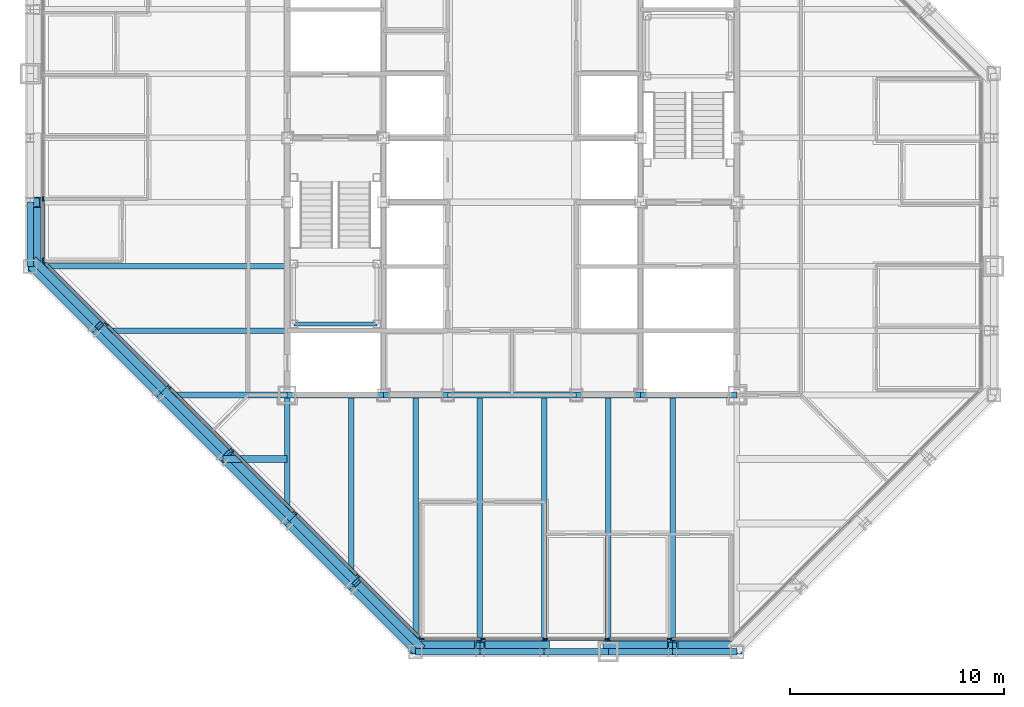
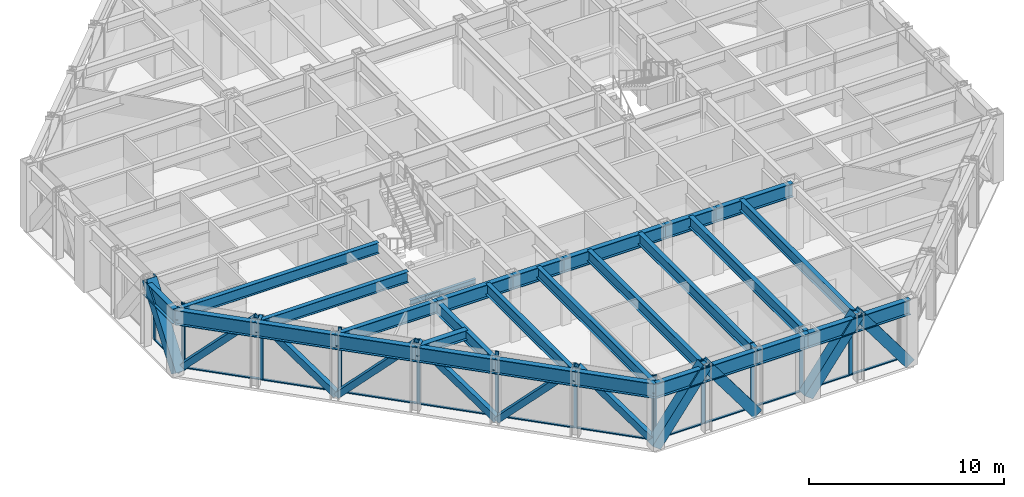
# One storey, part 5 of 16: 37 members, 29 beams, 3 elements without a shape of their own.
"""IFC4 building model written with IfcOpenShell, lengths in metres."""

from ifc_helpers import new_model, si_unit, direction, frame, origin, origin_2d, place, context, subcontext, project, spatial, rectangle, hollow_rectangle, i_section, extrude, material, layer, layer_set, material_profile, profile_set, type_object, element, aggregate, save


model = new_model("IFC4")

# Units and contexts
model_context = context("Model", 3, precision=1e-05, world=origin(), true_north=direction((0.0, 1.0)))
body_context = subcontext(model_context, "Body", "Model", "MODEL_VIEW")
ifc_project = project(units=[si_unit("LENGTHUNIT", "METRE"), si_unit("AREAUNIT", "SQUARE_METRE"), si_unit("VOLUMEUNIT", "CUBIC_METRE"), si_unit("PLANEANGLEUNIT", "RADIAN"), si_unit("MASSUNIT", "GRAM", prefix="KILO")], contexts=[model_context])

# Site, building, storey
site_placement = place(None, origin())
site = spatial("IfcSite", under=ifc_project, at=site_placement, CompositionType="ELEMENT")
building_placement = place(site_placement, origin())
building = spatial("IfcBuilding", under=site, at=building_placement, Name="Chuquiago Exchange Tower", CompositionType="ELEMENT")
storey_placement = place(building_placement, frame((0.0, 0.0, 218.10009765625)))
storey = spatial("IfcBuildingStorey", under=building, at=storey_placement, Name="L48", CompositionType="ELEMENT", Elevation=218.10009765625)

# Beams
ifc_material_1 = material(Name="Steel ASTM A992", Category="steel")
ifc_material_profile_1 = material_profile(ifc_material_1, i_section(OverallWidth=0.25390625, OverallDepth=0.683349609375, WebThickness=0.012451171875, FlangeThickness=0.018798828125, at=origin_2d()), Name="W27X94")
ifc_profile_set_1 = profile_set([ifc_material_profile_1], Name="Steel ASTM A992")
beam_type_1 = type_object("IfcBeamType", Name="B1 W27X94", PredefinedType="BEAM", material=ifc_profile_set_1)
beam_1_placement = place(storey_placement, frame((15.0, 12.0, 3.6982421875), z_axis=(0.0, -1.0, 0.0), x_axis=(1.0, 0.0, 0.0)))
element("IfcBeam", 1, at=beam_1_placement, inside=storey, type_object=beam_type_1, Name="FB-L49-infill-15_12-15_3-0", PredefinedType="BEAM", context=body_context, shape_type="SweptSolid", body=[
    extrude(i_section(OverallWidth=0.25390625, OverallDepth=0.683349609375, WebThickness=0.012451171875, FlangeThickness=0.018798828125, at=origin_2d()), origin(), (0.0, 0.0, 1.0), 9.0),
])
for number, where, z_axis, x_axis, name in (
    (2, (18.0, 12.0, 3.6982421875), (0.0, -1.0, 0.0), (1.0, 0.0, 0.0), "FB-L49-infill-18_12-18_-0-0"),
    (3, (21.0, 12.0, 3.6982421875), (0.0, -1.0, 0.0), (1.0, 0.0, 0.0), "FB-L49-infill-21_12-21_-0-0"),
    (4, (24.0, 12.0, 3.6982421875), (0.0, -1.0, 0.0), (1.0, 0.0, 0.0), "FB-L49-infill-24_12-24_-0-0"),
    (5, (27.0, 12.0, 3.6982421875), (0.0, -1.0, 0.0), (1.0, 0.0, 0.0), "FB-L49-infill-27_12-27_-0-0"),
    (6, (30.0, 12.0, 3.6982421875), (0.0, -1.0, 0.0), (1.0, 0.0, 0.0), "FB-L49-infill-30_12-30_-0-0"),
):
    element("IfcBeam", number, at=place(storey_placement, frame(where, z_axis=z_axis, x_axis=x_axis)), inside=storey, type_object=beam_type_1, Name=name, PredefinedType="BEAM", context=body_context, shape_type="SweptSolid", body=[
        extrude(i_section(OverallWidth=0.25390625, OverallDepth=0.683349609375, WebThickness=0.012451171875, FlangeThickness=0.018798828125, at=origin_2d()), origin(), (0.0, 0.0, 1.0), 12.0),
    ])
beam_2_placement = place(storey_placement, frame((12.0, 15.0, 3.6982421875), z_axis=(-1.0, 0.0, 0.0), x_axis=(0.0, -1.0, 0.0)))
element("IfcBeam", 7, at=beam_2_placement, inside=storey, type_object=beam_type_1, Name="FB-L49-infill-12_15-3_15-0", PredefinedType="BEAM", context=body_context, shape_type="SweptSolid", body=[
    extrude(i_section(OverallWidth=0.25390625, OverallDepth=0.683349609375, WebThickness=0.012451171875, FlangeThickness=0.018798828125, at=origin_2d()), origin(), (0.0, 0.0, 1.0), 9.0),
])
beam_3_placement = place(storey_placement, frame((12.0, 18.0, 3.6982421875), z_axis=(-1.0, 0.0, 0.0), x_axis=(0.0, -1.0, 0.0)))
element("IfcBeam", 8, at=beam_3_placement, inside=storey, type_object=beam_type_1, Name="FB-L49-infill-12_18--0_18-0", PredefinedType="BEAM", context=body_context, shape_type="SweptSolid", body=[
    extrude(i_section(OverallWidth=0.25390625, OverallDepth=0.683349609375, WebThickness=0.012451171875, FlangeThickness=0.018798828125, at=origin_2d()), origin(), (0.0, 0.0, 1.0), 12.0),
])
ifc_material_2 = material(Name="Steel ASTM A992", Category="steel")
ifc_material_profile_2 = material_profile(ifc_material_2, i_section(OverallWidth=0.3251953125, OverallDepth=0.612060546875, WebThickness=0.0126953125, FlangeThickness=0.01904296875, at=origin_2d()), Name="W24X104")
ifc_profile_set_2 = profile_set([ifc_material_profile_2], Name="Steel ASTM A992")
beam_type_2 = type_object("IfcBeamType", Name="B2 W24X104", PredefinedType="BEAM", material=ifc_profile_set_2)
beam_4_placement = place(storey_placement, frame((12.0, 9.0, 3.73388671875), z_axis=(-1.0, 0.0, 0.0), x_axis=(0.0, -1.0, 0.0)))
element("IfcBeam", 9, at=beam_4_placement, inside=storey, type_object=beam_type_2, Name="FB-L49-corner-12_9-9_9-0", PredefinedType="BEAM", context=body_context, shape_type="SweptSolid", body=[
    extrude(i_section(OverallWidth=0.3251953125, OverallDepth=0.612060546875, WebThickness=0.0126953125, FlangeThickness=0.01904296875, at=origin_2d()), origin(), (0.0, 0.0, 1.0), 3.0),
])
ifc_material_3 = material(Name="Steel ASTM A992", Category="steel")
ifc_material_profile_3 = material_profile(ifc_material_3, i_section(OverallWidth=0.2919921875, OverallDepth=0.8583984375, WebThickness=0.01708984375, FlangeThickness=0.031005859375, at=origin_2d()), Name="W33X169")
ifc_profile_set_3 = profile_set([ifc_material_profile_3], Name="Steel ASTM A992")
beam_type_3 = type_object("IfcBeamType", Name="B3 W33X169", PredefinedType="BEAM", material=ifc_profile_set_3)
beam_5_placement = place(storey_placement, frame((12.0, 12.0, 3.610595703125), z_axis=(1.0, 0.0, 0.0), x_axis=(0.0, 1.0, 0.0)))
element("IfcBeam", 10, at=beam_5_placement, inside=storey, type_object=beam_type_3, Name="CB-L49-12_12-16.5_12", PredefinedType="BEAM", context=body_context, shape_type="SweptSolid", body=[
    extrude(i_section(OverallWidth=0.2919921875, OverallDepth=0.8583984375, WebThickness=0.01708984375, FlangeThickness=0.031005859375, at=origin_2d()), origin(), (0.0, 0.0, 1.0), 4.5),
])
beam_6_placement = place(storey_placement, frame((16.5, 12.0, 3.610595703125), z_axis=(1.0, 0.0, 0.0), x_axis=(0.0, 1.0, 0.0)))
element("IfcBeam", 11, at=beam_6_placement, inside=storey, type_object=beam_type_3, Name="CB-L49-16.5_12-19.5_12", PredefinedType="BEAM", context=body_context, shape_type="SweptSolid", body=[
    extrude(i_section(OverallWidth=0.2919921875, OverallDepth=0.8583984375, WebThickness=0.01708984375, FlangeThickness=0.031005859375, at=origin_2d()), origin(), (0.0, 0.0, 1.0), 3.0),
])
beam_7_placement = place(storey_placement, frame((19.5, 12.0, 3.610595703125), z_axis=(1.0, 0.0, 0.0), x_axis=(0.0, 1.0, 0.0)))
element("IfcBeam", 12, at=beam_7_placement, inside=storey, type_object=beam_type_3, Name="CB-L49-19.5_12-25.5_12", PredefinedType="BEAM", context=body_context, shape_type="SweptSolid", body=[
    extrude(i_section(OverallWidth=0.2919921875, OverallDepth=0.8583984375, WebThickness=0.01708984375, FlangeThickness=0.031005859375, at=origin_2d()), origin(), (0.0, 0.0, 1.0), 6.0),
])
beam_8_placement = place(storey_placement, frame((25.5, 12.0, 3.610595703125), z_axis=(1.0, 0.0, 0.0), x_axis=(0.0, 1.0, 0.0)))
element("IfcBeam", 13, at=beam_8_placement, inside=storey, type_object=beam_type_3, Name="CB-L49-25.5_12-28.5_12", PredefinedType="BEAM", context=body_context, shape_type="SweptSolid", body=[
    extrude(i_section(OverallWidth=0.2919921875, OverallDepth=0.8583984375, WebThickness=0.01708984375, FlangeThickness=0.031005859375, at=origin_2d()), origin(), (0.0, 0.0, 1.0), 3.0),
])
beam_9_placement = place(storey_placement, frame((28.5, 12.0, 3.610595703125), z_axis=(1.0, 0.0, 0.0), x_axis=(0.0, 1.0, 0.0)))
element("IfcBeam", 14, at=beam_9_placement, inside=storey, type_object=beam_type_3, Name="CB-L49-28.5_12-33_12", PredefinedType="BEAM", context=body_context, shape_type="SweptSolid", body=[
    extrude(i_section(OverallWidth=0.2919921875, OverallDepth=0.8583984375, WebThickness=0.01708984375, FlangeThickness=0.031005859375, at=origin_2d()), origin(), (0.0, 0.0, 1.0), 4.5),
])

# Curtain wall, members
ifc_material_4 = material(Name="Aluminium curtain wall system", Category="aluminium")
ifc_layer_1 = layer(ifc_material_4, 0.22509765625)
ifc_layer_set_1 = layer_set([ifc_layer_1], Name="CW2 office curtain wall")
curtain_wall_type_1 = type_object("IfcCurtainWallType", Name="CW2 office curtain wall", PredefinedType="NOTDEFINED", material=ifc_layer_set_1)
curtain_wall_1_placement = place(storey_placement, origin())
curtain_wall_1 = element("IfcCurtainWall", 15, at=curtain_wall_1_placement, inside=storey, type_object=curtain_wall_type_1, Name="CW2 curtain wall L48", PredefinedType="NOTDEFINED")
ifc_material_5 = material(Name="Aluminium mullion, pale anodised", Category="aluminium")
ifc_material_profile_4 = material_profile(ifc_material_5, rectangle(XDim=0.06494140625, YDim=0.22509765625, at=origin_2d()), Name="AL 65x225")
ifc_profile_set_4 = profile_set([ifc_material_profile_4], Name="Aluminium mullion, pale anodised")
member_type_1 = type_object("IfcMemberType", Name="CW2-M mullion 65x225", PredefinedType="MULLION", material=ifc_profile_set_4)
member_1_placement = place(storey_placement, frame((18.281005859375, 0.60009765625, 0.0), z_axis=(0.0, 0.0, 1.0), x_axis=(0.0, 1.0, 0.0)))
member_1 = element("IfcMember", 16, at=member_1_placement, type_object=member_type_1, Name="CW2 mullion 1", PredefinedType="MULLION", context=body_context, shape_type="SweptSolid", body=[
    extrude(rectangle(XDim=0.06494140625, YDim=0.22509765625, at=origin_2d()), origin(), (0.0, 0.0, 1.0), 4.039794921875),
])
member_2_placement = place(storey_placement, frame((21.149169921875, 0.60009765625, 0.0), z_axis=(0.0, 0.0, 1.0), x_axis=(0.0, 1.0, 0.0)))
member_2 = element("IfcMember", 17, at=member_2_placement, type_object=member_type_1, Name="CW2 mullion 2", PredefinedType="MULLION", context=body_context, shape_type="SweptSolid", body=[
    extrude(rectangle(XDim=0.06494140625, YDim=0.22509765625, at=origin_2d()), origin(), (0.0, 0.0, 1.0), 4.039794921875),
])
member_3_placement = place(storey_placement, frame((24.0498046875, 0.60009765625, 0.0), z_axis=(0.0, 0.0, 1.0), x_axis=(0.0, 1.0, 0.0)))
member_3 = element("IfcMember", 18, at=member_3_placement, type_object=member_type_1, Name="CW2 mullion 3", PredefinedType="MULLION", context=body_context, shape_type="SweptSolid", body=[
    extrude(rectangle(XDim=0.06494140625, YDim=0.22509765625, at=origin_2d()), origin(), (0.0, 0.0, 1.0), 4.039794921875),
])
member_4_placement = place(storey_placement, frame((26.9501953125, 0.60009765625, 0.0), z_axis=(0.0, 0.0, 1.0), x_axis=(0.0, 1.0, 0.0)))
member_4 = element("IfcMember", 19, at=member_4_placement, type_object=member_type_1, Name="CW2 mullion 4", PredefinedType="MULLION", context=body_context, shape_type="SweptSolid", body=[
    extrude(rectangle(XDim=0.06494140625, YDim=0.22509765625, at=origin_2d()), origin(), (0.0, 0.0, 1.0), 4.039794921875),
])
member_5_placement = place(storey_placement, frame((29.850830078125, 0.60009765625, 0.0), z_axis=(0.0, 0.0, 1.0), x_axis=(0.0, 1.0, 0.0)))
member_5 = element("IfcMember", 20, at=member_5_placement, type_object=member_type_1, Name="CW2 mullion 5", PredefinedType="MULLION", context=body_context, shape_type="SweptSolid", body=[
    extrude(rectangle(XDim=0.06494140625, YDim=0.22509765625, at=origin_2d()), origin(), (0.0, 0.0, 1.0), 4.039794921875),
])

curtain_wall_2_placement = place(storey_placement, origin())
curtain_wall_2 = element("IfcCurtainWall", 21, at=curtain_wall_2_placement, inside=storey, type_object=curtain_wall_type_1, Name="CW2 curtain wall L48", PredefinedType="NOTDEFINED")
member_6_placement = place(storey_placement, frame((0.60009765625, 21.149169921875, 0.0), z_axis=(0.0, 0.0, 1.0), x_axis=(1.0, 0.0, 0.0)))
member_6 = element("IfcMember", 22, at=member_6_placement, type_object=member_type_1, Name="CW2 mullion 5", PredefinedType="MULLION", context=body_context, shape_type="SweptSolid", body=[
    extrude(rectangle(XDim=0.06494140625, YDim=0.22509765625, at=origin_2d()), origin(), (0.0, 0.0, 1.0), 4.039794921875),
])
member_7_placement = place(storey_placement, frame((0.60009765625, 18.281005859375, 0.0), z_axis=(0.0, 0.0, 1.0), x_axis=(1.0, 0.0, 0.0)))
member_7 = element("IfcMember", 23, at=member_7_placement, type_object=member_type_1, Name="CW2 mullion 6", PredefinedType="MULLION", context=body_context, shape_type="SweptSolid", body=[
    extrude(rectangle(XDim=0.06494140625, YDim=0.22509765625, at=origin_2d()), origin(), (0.0, 0.0, 1.0), 4.039794921875),
])

# Member
ifc_material_6 = material(Name="Aluminium transom, pale anodised", Category="aluminium")
ifc_material_profile_5 = material_profile(ifc_material_6, rectangle(XDim=0.139892578125, YDim=0.06494140625, at=origin_2d()), Name="AL 140x65")
ifc_profile_set_5 = profile_set([ifc_material_profile_5], Name="Aluminium transom, pale anodised")
member_type_2 = type_object("IfcMemberType", Name="CW2-T transom 65x140", PredefinedType="MULLION", material=ifc_profile_set_5)
member_8_placement = place(storey_placement, frame((18.3134765625, 0.60009765625, 0.032470703125), z_axis=(1.0, 0.0, 0.0), x_axis=(0.0, 1.0, 0.0)))
member_8 = element("IfcMember", 24, at=member_8_placement, type_object=member_type_2, Name="CW2 transom 1.1", PredefinedType="MULLION", context=body_context, shape_type="SweptSolid", body=[
    extrude(rectangle(XDim=0.139892578125, YDim=0.06494140625, at=origin_2d()), origin(), (0.0, 0.0, 1.0), 2.80322265625),
])

member_9_placement = place(storey_placement, frame((21.181640625, 0.60009765625, 0.032470703125), z_axis=(1.0, 0.0, 0.0), x_axis=(0.0, 1.0, 0.0)))
member_9 = element("IfcMember", 25, at=member_9_placement, type_object=member_type_2, Name="CW2 transom 2.1", PredefinedType="MULLION", context=body_context, shape_type="SweptSolid", body=[
    extrude(rectangle(XDim=0.139892578125, YDim=0.06494140625, at=origin_2d()), origin(), (0.0, 0.0, 1.0), 2.83544921875),
])

member_10_placement = place(storey_placement, frame((24.082275390625, 0.60009765625, 0.032470703125), z_axis=(1.0, 0.0, 0.0), x_axis=(0.0, 1.0, 0.0)))
member_10 = element("IfcMember", 26, at=member_10_placement, type_object=member_type_2, Name="CW2 transom 3.1", PredefinedType="MULLION", context=body_context, shape_type="SweptSolid", body=[
    extrude(rectangle(XDim=0.139892578125, YDim=0.06494140625, at=origin_2d()), origin(), (0.0, 0.0, 1.0), 2.83544921875),
])

member_11_placement = place(storey_placement, frame((26.98291015625, 0.60009765625, 0.032470703125), z_axis=(1.0, 0.0, 0.0), x_axis=(0.0, 1.0, 0.0)))
member_11 = element("IfcMember", 27, at=member_11_placement, type_object=member_type_2, Name="CW2 transom 4.1", PredefinedType="MULLION", context=body_context, shape_type="SweptSolid", body=[
    extrude(rectangle(XDim=0.139892578125, YDim=0.06494140625, at=origin_2d()), origin(), (0.0, 0.0, 1.0), 2.83544921875),
])

member_12_placement = place(storey_placement, frame((29.88330078125, 0.60009765625, 0.032470703125), z_axis=(1.0, 0.0, 0.0), x_axis=(0.0, 1.0, 0.0)))
member_12 = element("IfcMember", 28, at=member_12_placement, type_object=member_type_2, Name="CW2 transom 5.1", PredefinedType="MULLION", context=body_context, shape_type="SweptSolid", body=[
    extrude(rectangle(XDim=0.139892578125, YDim=0.06494140625, at=origin_2d()), origin(), (0.0, 0.0, 1.0), 2.80322265625),
])

aggregate(curtain_wall_1, [member_1, member_2, member_3, member_4, member_5, member_8, member_9, member_10, member_11, member_12])

member_13_placement = place(storey_placement, frame((0.60009765625, 21.11669921875, 0.032470703125), z_axis=(0.0, -1.0, 0.0), x_axis=(1.0, 0.0, 0.0)))
member_13 = element("IfcMember", 29, at=member_13_placement, type_object=member_type_2, Name="CW2 transom 5.1", PredefinedType="MULLION", context=body_context, shape_type="SweptSolid", body=[
    extrude(rectangle(XDim=0.139892578125, YDim=0.06494140625, at=origin_2d()), origin(), (0.0, 0.0, 1.0), 2.80322265625),
])

aggregate(curtain_wall_2, [member_6, member_7, member_13])

# Curtain wall, members
ifc_material_7 = material(Name="Aluminium curtain wall system", Category="aluminium")
ifc_layer_2 = layer(ifc_material_7, 0.199951171875)
ifc_layer_set_2 = layer_set([ifc_layer_2], Name="CW3 facet curtain wall")
curtain_wall_type_2 = type_object("IfcCurtainWallType", Name="CW3 facet curtain wall", PredefinedType="NOTDEFINED", material=ifc_layer_set_2)
curtain_wall_3_placement = place(storey_placement, origin())
curtain_wall_3 = element("IfcCurtainWall", 30, at=curtain_wall_3_placement, inside=storey, type_object=curtain_wall_type_2, Name="CW3 curtain wall L48", PredefinedType="NOTDEFINED")
ifc_material_8 = material(Name="Aluminium mullion, pale anodised", Category="aluminium")
ifc_material_profile_6 = material_profile(ifc_material_8, rectangle(XDim=0.06494140625, YDim=0.199951171875, at=origin_2d()), Name="AL 65x200")
ifc_profile_set_6 = profile_set([ifc_material_profile_6], Name="Aluminium mullion, pale anodised")
member_type_3 = type_object("IfcMemberType", Name="CW3-M mullion 65x200", PredefinedType="MULLION", material=ifc_profile_set_6)
member_14_placement = place(storey_placement, frame((0.623046875, 18.2255859375, 0.0), z_axis=(0.0, 0.0, 1.0), x_axis=(0.707106781187, 0.707106781187, 0.0)))
member_14 = element("IfcMember", 31, at=member_14_placement, type_object=member_type_3, Name="CW3 mullion 1", PredefinedType="MULLION", context=body_context, shape_type="SweptSolid", body=[
    extrude(rectangle(XDim=0.06494140625, YDim=0.199951171875, at=origin_2d()), origin(), (0.0, 0.0, 1.0), 4.039794921875),
])
member_15_placement = place(storey_placement, frame((3.54150390625, 15.30712890625, 0.0), z_axis=(0.0, 0.0, 1.0), x_axis=(0.707106781187, 0.707106781187, 0.0)))
member_15 = element("IfcMember", 32, at=member_15_placement, type_object=member_type_3, Name="CW3 mullion 2", PredefinedType="MULLION", context=body_context, shape_type="SweptSolid", body=[
    extrude(rectangle(XDim=0.06494140625, YDim=0.199951171875, at=origin_2d()), origin(), (0.0, 0.0, 1.0), 4.039794921875),
])
member_16_placement = place(storey_placement, frame((6.48291015625, 12.36572265625, 0.0), z_axis=(0.0, 0.0, 1.0), x_axis=(0.707106781187, 0.707106781187, 0.0)))
member_16 = element("IfcMember", 33, at=member_16_placement, type_object=member_type_3, Name="CW3 mullion 3", PredefinedType="MULLION", context=body_context, shape_type="SweptSolid", body=[
    extrude(rectangle(XDim=0.06494140625, YDim=0.199951171875, at=origin_2d()), origin(), (0.0, 0.0, 1.0), 4.039794921875),
])
member_17_placement = place(storey_placement, frame((9.42431640625, 9.42431640625, 0.0), z_axis=(0.0, 0.0, 1.0), x_axis=(0.707106781187, 0.707106781187, 0.0)))
member_17 = element("IfcMember", 34, at=member_17_placement, type_object=member_type_3, Name="CW3 mullion 4", PredefinedType="MULLION", context=body_context, shape_type="SweptSolid", body=[
    extrude(rectangle(XDim=0.06494140625, YDim=0.199951171875, at=origin_2d()), origin(), (0.0, 0.0, 1.0), 4.039794921875),
])
member_18_placement = place(storey_placement, frame((12.36572265625, 6.48291015625, 0.0), z_axis=(0.0, 0.0, 1.0), x_axis=(0.707106781187, 0.707106781187, 0.0)))
member_18 = element("IfcMember", 35, at=member_18_placement, type_object=member_type_3, Name="CW3 mullion 5", PredefinedType="MULLION", context=body_context, shape_type="SweptSolid", body=[
    extrude(rectangle(XDim=0.06494140625, YDim=0.199951171875, at=origin_2d()), origin(), (0.0, 0.0, 1.0), 4.039794921875),
])
member_19_placement = place(storey_placement, frame((15.30712890625, 3.54150390625, 0.0), z_axis=(0.0, 0.0, 1.0), x_axis=(0.707106781187, 0.707106781187, 0.0)))
member_19 = element("IfcMember", 36, at=member_19_placement, type_object=member_type_3, Name="CW3 mullion 6", PredefinedType="MULLION", context=body_context, shape_type="SweptSolid", body=[
    extrude(rectangle(XDim=0.06494140625, YDim=0.199951171875, at=origin_2d()), origin(), (0.0, 0.0, 1.0), 4.039794921875),
])
member_20_placement = place(storey_placement, frame((18.2255859375, 0.623046875, 0.0), z_axis=(0.0, 0.0, 1.0), x_axis=(0.707106781187, 0.707106781187, 0.0)))
member_20 = element("IfcMember", 37, at=member_20_placement, type_object=member_type_3, Name="CW3 mullion 7", PredefinedType="MULLION", context=body_context, shape_type="SweptSolid", body=[
    extrude(rectangle(XDim=0.06494140625, YDim=0.199951171875, at=origin_2d()), origin(), (0.0, 0.0, 1.0), 4.039794921875),
])
ifc_material_9 = material(Name="Aluminium transom, pale anodised", Category="aluminium")
ifc_material_profile_7 = material_profile(ifc_material_9, rectangle(XDim=0.139892578125, YDim=0.06494140625, at=origin_2d()), Name="AL 140x65")
ifc_profile_set_7 = profile_set([ifc_material_profile_7], Name="Aluminium transom, pale anodised")
member_type_4 = type_object("IfcMemberType", Name="CW3-T transom 65x140", PredefinedType="MULLION", material=ifc_profile_set_7)
member_21_placement = place(storey_placement, frame((0.64599609375, 18.20263671875, 0.032470703125), z_axis=(0.707106781187, -0.707106781187, 0.0), x_axis=(0.707106781187, 0.707106781187, 0.0)))
member_21 = element("IfcMember", 38, at=member_21_placement, type_object=member_type_4, Name="CW3 transom 1.1", PredefinedType="MULLION", context=body_context, shape_type="SweptSolid", body=[
    extrude(rectangle(XDim=0.139892578125, YDim=0.06494140625, at=origin_2d()), origin(), (0.0, 0.0, 1.0), 4.0625),
])
member_22_placement = place(storey_placement, frame((3.564453125, 15.2841796875, 0.032470703125), z_axis=(0.707106781187, -0.707106781187, 0.0), x_axis=(0.707106781187, 0.707106781187, 0.0)))
member_22 = element("IfcMember", 39, at=member_22_placement, type_object=member_type_4, Name="CW3 transom 2.1", PredefinedType="MULLION", context=body_context, shape_type="SweptSolid", body=[
    extrude(rectangle(XDim=0.139892578125, YDim=0.06494140625, at=origin_2d()), origin(), (0.0, 0.0, 1.0), 4.094970703125),
])
member_23_placement = place(storey_placement, frame((6.505859375, 12.3427734375, 0.032470703125), z_axis=(0.707106781187, -0.707106781187, 0.0), x_axis=(0.707106781187, 0.707106781187, 0.0)))
member_23 = element("IfcMember", 40, at=member_23_placement, type_object=member_type_4, Name="CW3 transom 3.1", PredefinedType="MULLION", context=body_context, shape_type="SweptSolid", body=[
    extrude(rectangle(XDim=0.139892578125, YDim=0.06494140625, at=origin_2d()), origin(), (0.0, 0.0, 1.0), 4.094970703125),
])
member_24_placement = place(storey_placement, frame((9.447265625, 9.4013671875, 0.032470703125), z_axis=(0.707106781187, -0.707106781187, 0.0), x_axis=(0.707106781187, 0.707106781187, 0.0)))
member_24 = element("IfcMember", 41, at=member_24_placement, type_object=member_type_4, Name="CW3 transom 4.1", PredefinedType="MULLION", context=body_context, shape_type="SweptSolid", body=[
    extrude(rectangle(XDim=0.139892578125, YDim=0.06494140625, at=origin_2d()), origin(), (0.0, 0.0, 1.0), 4.094970703125),
])
member_25_placement = place(storey_placement, frame((12.388671875, 6.4599609375, 0.032470703125), z_axis=(0.707106781187, -0.707106781187, 0.0), x_axis=(0.707106781187, 0.707106781187, 0.0)))
member_25 = element("IfcMember", 42, at=member_25_placement, type_object=member_type_4, Name="CW3 transom 5.1", PredefinedType="MULLION", context=body_context, shape_type="SweptSolid", body=[
    extrude(rectangle(XDim=0.139892578125, YDim=0.06494140625, at=origin_2d()), origin(), (0.0, 0.0, 1.0), 4.094970703125),
])
member_26_placement = place(storey_placement, frame((15.330078125, 3.5185546875, 0.032470703125), z_axis=(0.707106781187, -0.707106781187, 0.0), x_axis=(0.707106781187, 0.707106781187, 0.0)))
member_26 = element("IfcMember", 43, at=member_26_placement, type_object=member_type_4, Name="CW3 transom 6.1", PredefinedType="MULLION", context=body_context, shape_type="SweptSolid", body=[
    extrude(rectangle(XDim=0.139892578125, YDim=0.06494140625, at=origin_2d()), origin(), (0.0, 0.0, 1.0), 4.0625),
])
aggregate(curtain_wall_3, [member_14, member_15, member_16, member_17, member_18, member_19, member_20, member_21, member_22, member_23, member_24, member_25, member_26])

# Beams
ifc_material_10 = material(Name="Steel ASTM A992", Category="steel")
ifc_material_profile_8 = material_profile(ifc_material_10, i_section(OverallWidth=0.2666015625, OverallDepth=0.76953125, WebThickness=0.015625, FlangeThickness=0.025390625, at=origin_2d()), Name="W30X132")
ifc_profile_set_8 = profile_set([ifc_material_profile_8], Name="Steel ASTM A992")
beam_type_4 = type_object("IfcBeamType", Name="G1 W30X132", PredefinedType="BEAM", material=ifc_profile_set_8)
for number, where, z_axis, x_axis, name in (
    (44, (12.0, 12.0, 3.655029296875), (0.0, -1.0, 0.0), (1.0, 0.0, 0.0), "FB-L49-girder-12_12-12_6-0"),
    (45, (12.0, 12.0, 3.655029296875), (-1.0, 0.0, 0.0), (0.0, -1.0, 0.0), "FB-L49-girder-12_12-6_12-0"),
):
    element("IfcBeam", number, at=place(storey_placement, frame(where, z_axis=z_axis, x_axis=x_axis)), inside=storey, type_object=beam_type_4, Name=name, PredefinedType="BEAM", context=body_context, shape_type="SweptSolid", body=[
        extrude(i_section(OverallWidth=0.2666015625, OverallDepth=0.76953125, WebThickness=0.015625, FlangeThickness=0.025390625, at=origin_2d()), origin(), (0.0, 0.0, 1.0), 6.0),
    ])

# Members
ifc_material_11 = material(Name="Steel ASTM A500 Grade C", Category="steel")
ifc_material_profile_9 = material_profile(ifc_material_11, hollow_rectangle(XDim=0.355712890625, YDim=0.355712890625, WallThickness=0.0146484375, at=origin_2d()), Name="HSS14X14X5/8")
ifc_profile_set_9 = profile_set([ifc_material_profile_9], Name="Steel ASTM A500 Grade C")
member_type_5 = type_object("IfcMemberType", Name="LB2 HSS14X14X5/8", PredefinedType="BRACE", material=ifc_profile_set_9)
for number, where, z_axis, x_axis, name in (
    (46, (0.2314453125, 18.2314453125, 0.0), (0.51209198167, -0.51209198167, 0.689582195694), (0.707106781187, 0.707106781187, 0.0), "LB-L48-0_18-3_15"),
    (47, (6.2314453125, 12.2314453125, 0.0), (-0.51209198167, 0.51209198167, 0.689582195694), (-0.707106781187, -0.707106781187, 0.0), "LB-L48-3_15-6_12"),
    (48, (6.2314453125, 12.2314453125, 0.0), (0.51209198167, -0.51209198167, 0.689582195694), (0.707106781187, 0.707106781187, 0.0), "LB-L48-6_12-9_9"),
    (49, (12.2314453125, 6.2314453125, 0.0), (-0.51209198167, 0.51209198167, 0.689582195694), (-0.707106781187, -0.707106781187, 0.0), "LB-L48-9_9-12_6"),
    (50, (12.2314453125, 6.2314453125, 0.0), (0.51209198167, -0.51209198167, 0.689582195694), (0.707106781187, 0.707106781187, 0.0), "LB-L48-12_6-15_3"),
    (51, (18.2314453125, 0.2314453125, 0.0), (-0.51209198167, 0.51209198167, 0.689582195694), (-0.707106781187, -0.707106781187, 0.0), "LB-L48-15_3-18_0"),
):
    element("IfcMember", number, at=place(storey_placement, frame(where, z_axis=z_axis, x_axis=x_axis)), inside=storey, type_object=member_type_5, Name=name, PredefinedType="BRACE", context=body_context, shape_type="SweptSolid", body=[
        extrude(hollow_rectangle(XDim=0.355712890625, YDim=0.355712890625, WallThickness=0.0146484375, at=origin_2d()), origin(), (0.0, 0.0, 1.0), 5.8583984375),
    ])

# Beam
ifc_material_12 = material(Name="Steel ASTM A992", Category="steel")
ifc_material_profile_10 = material_profile(ifc_material_12, i_section(OverallWidth=0.164794921875, OverallDepth=0.309814453125, WebThickness=0.005859375, FlangeThickness=0.009765625, at=origin_2d()), Name="W12X26")
ifc_profile_set_10 = profile_set([ifc_material_profile_10], Name="Steel ASTM A992")
beam_type_5 = type_object("IfcBeamType", Name="LT1 W12X26", PredefinedType="BEAM", material=ifc_profile_set_10)
beam_10_placement = place(storey_placement, frame((12.31005859375, 15.31005859375, 1.7451171875), z_axis=(1.0, 0.0, 0.0), x_axis=(0.0, 1.0, 0.0)))
element("IfcBeam", 52, at=beam_10_placement, inside=storey, type_object=beam_type_5, Name="Stair ST1 L48 landing 1 trimmer", PredefinedType="BEAM", context=body_context, shape_type="SweptSolid", body=[
    extrude(i_section(OverallWidth=0.164794921875, OverallDepth=0.309814453125, WebThickness=0.005859375, FlangeThickness=0.009765625, at=origin_2d()), origin(), (0.0, 0.0, 1.0), 3.8798828125),
])

# Members
ifc_material_13 = material(Name="Steel ASTM A572 Grade 50", Category="steel")
ifc_material_profile_11 = material_profile(ifc_material_13, hollow_rectangle(XDim=0.60009765625, YDim=0.60009765625, WallThickness=0.06005859375, at=origin_2d()), Name="BOX600X600X60")
ifc_profile_set_11 = profile_set([ifc_material_profile_11], Name="Steel ASTM A572 Grade 50")
member_type_6 = type_object("IfcMemberType", Name="MB3 BOX600X600X60", PredefinedType="BRACE", material=ifc_profile_set_11)
for number, where, z_axis, x_axis, name in (
    (53, (18.0, 0.205078125, 0.0), (0.596197146086, 0.0, 0.802838067732), (0.0, 1.0, 0.0), "Mega diagonal L48 S face"),
    (54, (24.0, 0.205078125, 0.0), (-0.596197146086, 0.0, 0.802838067732), (0.0, -1.0, 0.0), "Mega diagonal L48 S face"),
    (55, (27.0, 0.205078125, 0.0), (0.596197146086, 0.0, 0.802838067732), (0.0, 1.0, 0.0), "Mega diagonal L48 S face"),
    (56, (33.0, 0.205078125, 0.0), (-0.596197146086, 0.0, 0.802838067732), (0.0, -1.0, 0.0), "Mega diagonal L48 S face"),
    (57, (0.205078125, 18.0, 0.0), (0.0, 0.596197146086, 0.802838067732), (-1.0, 0.0, 0.0), "Mega diagonal L48 W face"),
):
    element("IfcMember", number, at=place(storey_placement, frame(where, z_axis=z_axis, x_axis=x_axis)), inside=storey, type_object=member_type_6, Name=name, PredefinedType="BRACE", context=body_context, shape_type="SweptSolid", body=[
        extrude(hollow_rectangle(XDim=0.60009765625, YDim=0.60009765625, WallThickness=0.06005859375, at=origin_2d()), origin(), (0.0, 0.0, 1.0), 5.031982421875),
    ])

# Beams
ifc_material_14 = material(Name="Steel ASTM A992", Category="steel")
ifc_material_profile_12 = material_profile(ifc_material_14, i_section(OverallWidth=0.307373046875, OverallDepth=0.927001953125, WebThickness=0.01953125, FlangeThickness=0.031982421875, at=origin_2d()), Name="W36X194")
ifc_profile_set_12 = profile_set([ifc_material_profile_12], Name="Steel ASTM A992")
beam_type_6 = type_object("IfcBeamType", Name="SP3 W36X194", PredefinedType="SPANDREL", material=ifc_profile_set_12)
for number, where, z_axis, x_axis, name in (
    (58, (18.0, 0.0, 3.576416015625), (1.0, 0.0, 0.0), (0.0, 1.0, 0.0), "SPB-L49-18_0-21_0"),
    (59, (21.0, 0.0, 3.576416015625), (1.0, 0.0, 0.0), (0.0, 1.0, 0.0), "SPB-L49-21_0-24_0"),
    (60, (24.0, 0.0, 3.576416015625), (1.0, 0.0, 0.0), (0.0, 1.0, 0.0), "SPB-L49-24_0-27_0"),
    (61, (27.0, 0.0, 3.576416015625), (1.0, 0.0, 0.0), (0.0, 1.0, 0.0), "SPB-L49-27_0-30_0"),
    (62, (30.0, 0.0, 3.576416015625), (1.0, 0.0, 0.0), (0.0, 1.0, 0.0), "SPB-L49-30_0-33_0"),
    (63, (0.0, 21.0, 3.576416015625), (0.0, -1.0, 0.0), (1.0, 0.0, 0.0), "SPB-L49-0_21-0_18"),
):
    element("IfcBeam", number, at=place(storey_placement, frame(where, z_axis=z_axis, x_axis=x_axis)), inside=storey, type_object=beam_type_6, Name=name, PredefinedType="SPANDREL", context=body_context, shape_type="SweptSolid", body=[
        extrude(i_section(OverallWidth=0.307373046875, OverallDepth=0.927001953125, WebThickness=0.01953125, FlangeThickness=0.031982421875, at=origin_2d()), origin(), (0.0, 0.0, 1.0), 3.0),
    ])
for number, where, z_axis, x_axis, name in (
    (64, (0.0, 18.0, 3.576416015625), (0.707106781187, -0.707106781187, 0.0), (0.707106781187, 0.707106781187, 0.0), "SPB-L49-0_18-3_15"),
    (65, (3.0, 15.0, 3.576416015625), (0.707106781187, -0.707106781187, 0.0), (0.707106781187, 0.707106781187, 0.0), "SPB-L49-3_15-6_12"),
    (66, (6.0, 12.0, 3.576416015625), (0.707106781187, -0.707106781187, 0.0), (0.707106781187, 0.707106781187, 0.0), "SPB-L49-6_12-9_9"),
    (67, (9.0, 9.0, 3.576416015625), (0.707106781187, -0.707106781187, 0.0), (0.707106781187, 0.707106781187, 0.0), "SPB-L49-9_9-12_6"),
    (68, (12.0, 6.0, 3.576416015625), (0.707106781187, -0.707106781187, 0.0), (0.707106781187, 0.707106781187, 0.0), "SPB-L49-12_6-15_3"),
    (69, (15.0, 3.0, 3.576416015625), (0.707106781187, -0.707106781187, 0.0), (0.707106781187, 0.707106781187, 0.0), "SPB-L49-15_3-18_0"),
):
    element("IfcBeam", number, at=place(storey_placement, frame(where, z_axis=z_axis, x_axis=x_axis)), inside=storey, type_object=beam_type_6, Name=name, PredefinedType="SPANDREL", context=body_context, shape_type="SweptSolid", body=[
        extrude(i_section(OverallWidth=0.307373046875, OverallDepth=0.927001953125, WebThickness=0.01953125, FlangeThickness=0.031982421875, at=origin_2d()), origin(), (0.0, 0.0, 1.0), 4.24267578125),
    ])

save(model, "model.ifc")
